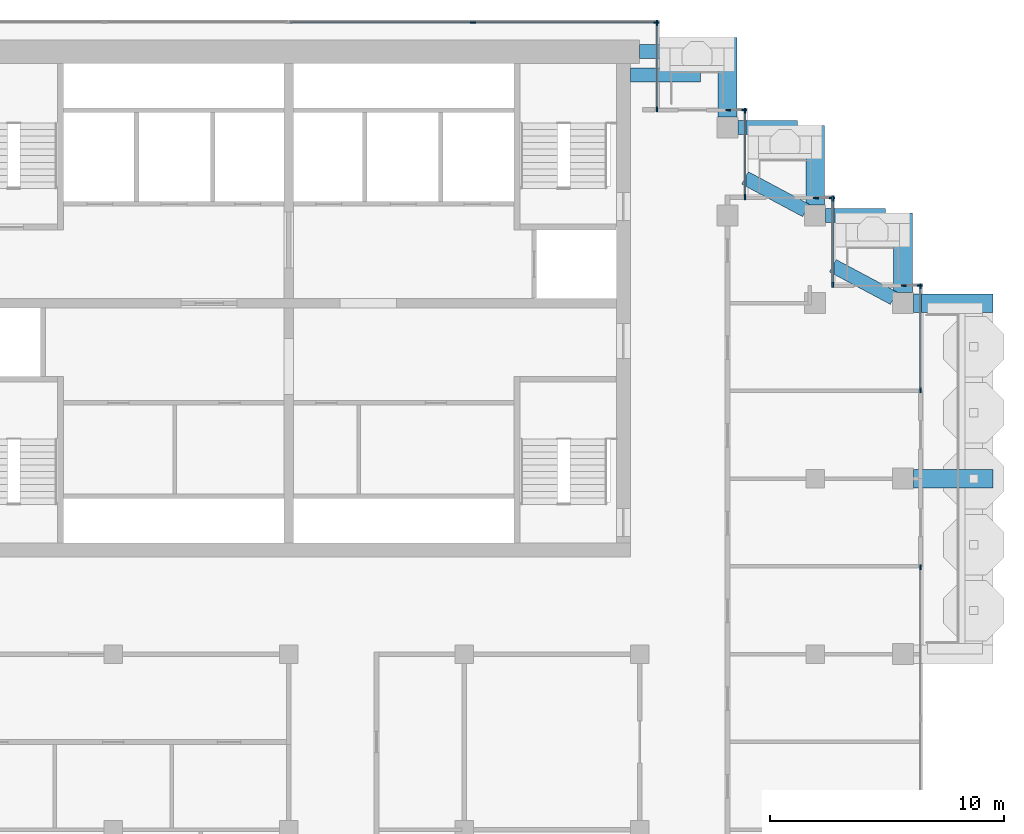
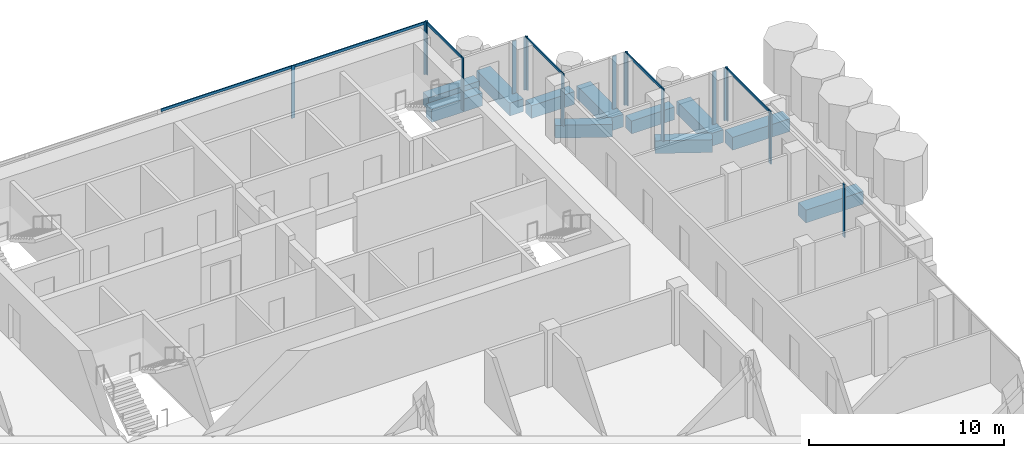
# One storey, part 6 of 19: 23 members, 11 beams, 9 elements without a shape of their own.
"""IFC4 building model written with IfcOpenShell, lengths in metres."""

from ifc_helpers import new_model, si_unit, direction, frame, origin, origin_2d, place, context, subcontext, project, spatial, rectangle, extrude, material, material_profile, profile_set, type_object, element, aggregate, save


model = new_model("IFC4")

# Units and contexts
model_context = context("Model", 3, precision=1e-05, world=origin(), true_north=direction((0.0, 1.0)))
body_context = subcontext(model_context, "Body", "Model", "MODEL_VIEW")
ifc_project = project(units=[si_unit("LENGTHUNIT", "METRE"), si_unit("AREAUNIT", "SQUARE_METRE"), si_unit("VOLUMEUNIT", "CUBIC_METRE"), si_unit("PLANEANGLEUNIT", "RADIAN"), si_unit("MASSUNIT", "GRAM", prefix="KILO")], contexts=[model_context])

# Site, building, storey
site_placement = place(None, origin())
site = spatial("IfcSite", under=ifc_project, at=site_placement, CompositionType="ELEMENT")
building_placement = place(site_placement, origin())
building = spatial("IfcBuilding", under=site, at=building_placement, Name="Pilkhan Gate Tower", CompositionType="ELEMENT")
storey_placement = place(building_placement, frame((0.0, 0.0, 246.300048828125)))
storey = spatial("IfcBuildingStorey", under=building, at=storey_placement, Name="L64", CompositionType="ELEMENT", Elevation=246.300048828125)

# Beams
ifc_material_1 = material(Name="Concrete C50/60", Category="concrete")
ifc_material_profile_1 = material_profile(ifc_material_1, rectangle(XDim=0.60009765625, YDim=0.800048828125, at=origin_2d()), Name="RC 600x800")
ifc_profile_set_1 = profile_set([ifc_material_profile_1], Name="Concrete C50/60")
beam_type_1 = type_object("IfcBeamType", Name="Cantilever beam CB1 RC 600x800 C50/60", PredefinedType="BEAM", material=ifc_profile_set_1)
for number, where, z_axis, x_axis, name in (
    (1, (90.0, 93.25, -0.699951171875), (1.0, 0.0, 0.0), (0.0, 1.0, 0.0), "Balcony beam NE.2 L64"),
    (2, (89.60009765625, 92.25, -0.699951171875), (1.0, 0.0, 0.0), (0.0, 1.0, 0.0), "Balcony beam NE.3 L64"),
):
    element("IfcBeam", number, at=place(storey_placement, frame(where, z_axis=z_axis, x_axis=x_axis)), inside=storey, type_object=beam_type_1, Name=name, PredefinedType="BEAM", context=body_context, shape_type="SweptSolid", body=[
        extrude(rectangle(XDim=0.60009765625, YDim=0.800048828125, at=origin_2d()), origin(), (0.0, 0.0, 1.0), 3.0),
    ])
beam_1_placement = place(storey_placement, frame((94.199951171875, 90.0, -0.699951171875), z_axis=(1.0, 0.0, 0.0), x_axis=(0.0, 1.0, 0.0)))
element("IfcBeam", 3, at=beam_1_placement, inside=storey, type_object=beam_type_1, Name="Balcony beam NE1.2 L64", PredefinedType="BEAM", context=body_context, shape_type="SweptSolid", body=[
    extrude(rectangle(XDim=0.60009765625, YDim=0.800048828125, at=origin_2d()), origin(), (0.0, 0.0, 1.0), 2.550048828125),
])
beam_2_placement = place(storey_placement, frame((97.10302734375, 86.461669921875, -0.699951171875), z_axis=(-0.882332323202, 0.470626891957, 0.0), x_axis=(-0.470626891957, -0.882332323202, 0.0)))
element("IfcBeam", 4, at=beam_2_placement, inside=storey, type_object=beam_type_1, Name="Balcony beam NE1.3 L64", PredefinedType="BEAM", context=body_context, shape_type="SweptSolid", body=[
    extrude(rectangle(XDim=0.60009765625, YDim=0.800048828125, at=origin_2d()), origin(), (0.0, 0.0, 1.0), 2.9501953125),
])
beam_3_placement = place(storey_placement, frame((97.949951171875, 86.25, -0.699951171875), z_axis=(1.0, 0.0, 0.0), x_axis=(0.0, 1.0, 0.0)))
element("IfcBeam", 5, at=beam_3_placement, inside=storey, type_object=beam_type_1, Name="Balcony beam NE2.2 L64", PredefinedType="BEAM", context=body_context, shape_type="SweptSolid", body=[
    extrude(rectangle(XDim=0.60009765625, YDim=0.800048828125, at=origin_2d()), origin(), (0.0, 0.0, 1.0), 2.550048828125),
])
beam_4_placement = place(storey_placement, frame((100.85302734375, 82.711669921875, -0.699951171875), z_axis=(-0.882332323202, 0.470626891957, 0.0), x_axis=(-0.470626891957, -0.882332323202, 0.0)))
element("IfcBeam", 6, at=beam_4_placement, inside=storey, type_object=beam_type_1, Name="Balcony beam NE2.3 L64", PredefinedType="BEAM", context=body_context, shape_type="SweptSolid", body=[
    extrude(rectangle(XDim=0.60009765625, YDim=0.800048828125, at=origin_2d()), origin(), (0.0, 0.0, 1.0), 2.9501953125),
])
ifc_material_profile_2 = material_profile(ifc_material_1, rectangle(XDim=0.800048828125, YDim=0.800048828125, at=origin_2d()), Name="RC 800x800")
ifc_profile_set_2 = profile_set([ifc_material_profile_2], Name="Concrete C50/60")
beam_type_2 = type_object("IfcBeamType", Name="Cantilever beam CB2 RC 800x800 C50/60", PredefinedType="BEAM", material=ifc_profile_set_2)
for number, where, z_axis, x_axis, name in (
    (7, (101.699951171875, 75.0, -0.699951171875), (1.0, 0.0, 0.0), (0.0, 1.0, 0.0), "Balcony beam E.2 L64"),
    (8, (101.699951171875, 82.5, -0.699951171875), (1.0, 0.0, 0.0), (0.0, 1.0, 0.0), "Balcony beam E.3 L64"),
    (9, (93.75, 90.449951171875, -0.699951171875), (0.0, 1.0, 0.0), (-1.0, 0.0, 0.0), "Balcony beam NE.1 L64"),
    (10, (97.5, 86.699951171875, -0.699951171875), (0.0, 1.0, 0.0), (-1.0, 0.0, 0.0), "Balcony beam NE1.1 L64"),
    (11, (101.25, 82.949951171875, -0.699951171875), (0.0, 1.0, 0.0), (-1.0, 0.0, 0.0), "Balcony beam NE2.1 L64"),
):
    element("IfcBeam", number, at=place(storey_placement, frame(where, z_axis=z_axis, x_axis=x_axis)), inside=storey, type_object=beam_type_2, Name=name, PredefinedType="BEAM", context=body_context, shape_type="SweptSolid", body=[
        extrude(rectangle(XDim=0.800048828125, YDim=0.800048828125, at=origin_2d()), origin(), (0.0, 0.0, 1.0), 3.400146484375),
    ])

# Curtain wall, member
ifc_material_2 = material(Name="Pale anodised aluminium, clear low-iron double glazing", Category="aluminium")
curtain_wall_type = type_object("IfcCurtainWallType", Name="Office unitised curtain wall CW-O2", PredefinedType="USERDEFINED", material=ifc_material_2)
curtain_wall_1_placement = place(storey_placement, origin())
curtain_wall_1 = element("IfcCurtainWall", 12, at=curtain_wall_1_placement, inside=storey, type_object=curtain_wall_type, Name="Office unitised curtain wall CW-O2 L64 E", ObjectType="UNITISED CURTAIN WALL", PredefinedType="USERDEFINED")
ifc_material_3 = material(Name="Pale anodised aluminium", Category="aluminium")
ifc_material_profile_3 = material_profile(ifc_material_3, rectangle(XDim=0.06494140625, YDim=0.22509765625, at=origin_2d()), Name="Mullion 225x65")
ifc_profile_set_3 = profile_set([ifc_material_profile_3], Name="Pale anodised aluminium")
member_type_1 = type_object("IfcMemberType", Name="Mullion CW-O2 225x65", PredefinedType="MULLION", material=ifc_profile_set_3)
member_1_placement = place(storey_placement, frame((102.0, 71.217529296875, 0.0), z_axis=(0.0, 0.0, 1.0), x_axis=(-1.0, 0.0, 0.0)))
member_1 = element("IfcMember", 13, at=member_1_placement, type_object=member_type_1, Name="CW-O2 mullion 2", PredefinedType="MULLION", context=body_context, shape_type="SweptSolid", body=[
    extrude(rectangle(XDim=0.06494140625, YDim=0.22509765625, at=origin_2d()), origin(), (0.0, 0.0, 1.0), 3.300048828125),
])
aggregate(curtain_wall_1, [member_1])

# Curtain wall, members
curtain_wall_2_placement = place(storey_placement, origin())
curtain_wall_2 = element("IfcCurtainWall", 14, at=curtain_wall_2_placement, inside=storey, type_object=curtain_wall_type, Name="Office unitised curtain wall CW-O2 L64 E", ObjectType="UNITISED CURTAIN WALL", PredefinedType="USERDEFINED")
member_2_placement = place(storey_placement, frame((102.0, 78.782470703125, 0.0), z_axis=(0.0, 0.0, 1.0), x_axis=(-1.0, 0.0, 0.0)))
member_2 = element("IfcMember", 15, at=member_2_placement, type_object=member_type_1, Name="CW-O2 mullion 1", PredefinedType="MULLION", context=body_context, shape_type="SweptSolid", body=[
    extrude(rectangle(XDim=0.06494140625, YDim=0.22509765625, at=origin_2d()), origin(), (0.0, 0.0, 1.0), 3.300048828125),
])
member_3_placement = place(storey_placement, frame((102.0, 83.217529296875, 0.0), z_axis=(0.0, 0.0, 1.0), x_axis=(-1.0, 0.0, 0.0)))
member_3 = element("IfcMember", 16, at=member_3_placement, type_object=member_type_1, Name="CW-O2 mullion 2", PredefinedType="MULLION", context=body_context, shape_type="SweptSolid", body=[
    extrude(rectangle(XDim=0.06494140625, YDim=0.22509765625, at=origin_2d()), origin(), (0.0, 0.0, 1.0), 3.300048828125),
])

curtain_wall_3_placement = place(storey_placement, origin())
curtain_wall_3 = element("IfcCurtainWall", 17, at=curtain_wall_3_placement, inside=storey, type_object=curtain_wall_type, Name="Office unitised curtain wall CW-O2 L64 N", ObjectType="UNITISED CURTAIN WALL", PredefinedType="USERDEFINED")
member_4_placement = place(storey_placement, frame((101.282470703125, 83.25, 0.0), z_axis=(0.0, 0.0, 1.0), x_axis=(0.0, 1.0, 0.0)))
member_4 = element("IfcMember", 18, at=member_4_placement, type_object=member_type_1, Name="CW-O2 mullion 1", PredefinedType="MULLION", context=body_context, shape_type="SweptSolid", body=[
    extrude(rectangle(XDim=0.06494140625, YDim=0.22509765625, at=origin_2d()), origin(), (0.0, 0.0, 1.0), 3.300048828125),
])
member_5_placement = place(storey_placement, frame((101.967529296875, 83.25, 0.0), z_axis=(0.0, 0.0, 1.0), x_axis=(0.0, 1.0, 0.0)))
member_5 = element("IfcMember", 19, at=member_5_placement, type_object=member_type_1, Name="CW-O2 mullion 2", PredefinedType="MULLION", context=body_context, shape_type="SweptSolid", body=[
    extrude(rectangle(XDim=0.06494140625, YDim=0.22509765625, at=origin_2d()), origin(), (0.0, 0.0, 1.0), 3.300048828125),
])
aggregate(curtain_wall_3, [member_4, member_5])

curtain_wall_4_placement = place(storey_placement, origin())
curtain_wall_4 = element("IfcCurtainWall", 20, at=curtain_wall_4_placement, inside=storey, type_object=curtain_wall_type, Name="Office unitised curtain wall CW-O2 L64 E", ObjectType="UNITISED CURTAIN WALL", PredefinedType="USERDEFINED")
member_6_placement = place(storey_placement, frame((98.25, 83.282470703125, 0.0), z_axis=(0.0, 0.0, 1.0), x_axis=(-1.0, 0.0, 0.0)))
member_6 = element("IfcMember", 21, at=member_6_placement, type_object=member_type_1, Name="CW-O2 mullion 1", PredefinedType="MULLION", context=body_context, shape_type="SweptSolid", body=[
    extrude(rectangle(XDim=0.06494140625, YDim=0.22509765625, at=origin_2d()), origin(), (0.0, 0.0, 1.0), 3.300048828125),
])
member_7_placement = place(storey_placement, frame((98.25, 86.967529296875, 0.0), z_axis=(0.0, 0.0, 1.0), x_axis=(-1.0, 0.0, 0.0)))
member_7 = element("IfcMember", 22, at=member_7_placement, type_object=member_type_1, Name="CW-O2 mullion 2", PredefinedType="MULLION", context=body_context, shape_type="SweptSolid", body=[
    extrude(rectangle(XDim=0.06494140625, YDim=0.22509765625, at=origin_2d()), origin(), (0.0, 0.0, 1.0), 3.300048828125),
])

curtain_wall_5_placement = place(storey_placement, origin())
curtain_wall_5 = element("IfcCurtainWall", 23, at=curtain_wall_5_placement, inside=storey, type_object=curtain_wall_type, Name="Office unitised curtain wall CW-O2 L64 N", ObjectType="UNITISED CURTAIN WALL", PredefinedType="USERDEFINED")
member_8_placement = place(storey_placement, frame((97.532470703125, 87.0, 0.0), z_axis=(0.0, 0.0, 1.0), x_axis=(0.0, 1.0, 0.0)))
member_8 = element("IfcMember", 24, at=member_8_placement, type_object=member_type_1, Name="CW-O2 mullion 1", PredefinedType="MULLION", context=body_context, shape_type="SweptSolid", body=[
    extrude(rectangle(XDim=0.06494140625, YDim=0.22509765625, at=origin_2d()), origin(), (0.0, 0.0, 1.0), 3.300048828125),
])
member_9_placement = place(storey_placement, frame((98.217529296875, 87.0, 0.0), z_axis=(0.0, 0.0, 1.0), x_axis=(0.0, 1.0, 0.0)))
member_9 = element("IfcMember", 25, at=member_9_placement, type_object=member_type_1, Name="CW-O2 mullion 2", PredefinedType="MULLION", context=body_context, shape_type="SweptSolid", body=[
    extrude(rectangle(XDim=0.06494140625, YDim=0.22509765625, at=origin_2d()), origin(), (0.0, 0.0, 1.0), 3.300048828125),
])
aggregate(curtain_wall_5, [member_8, member_9])

curtain_wall_6_placement = place(storey_placement, origin())
curtain_wall_6 = element("IfcCurtainWall", 26, at=curtain_wall_6_placement, inside=storey, type_object=curtain_wall_type, Name="Office unitised curtain wall CW-O2 L64 E", ObjectType="UNITISED CURTAIN WALL", PredefinedType="USERDEFINED")
member_10_placement = place(storey_placement, frame((94.5, 87.032470703125, 0.0), z_axis=(0.0, 0.0, 1.0), x_axis=(-1.0, 0.0, 0.0)))
member_10 = element("IfcMember", 27, at=member_10_placement, type_object=member_type_1, Name="CW-O2 mullion 1", PredefinedType="MULLION", context=body_context, shape_type="SweptSolid", body=[
    extrude(rectangle(XDim=0.06494140625, YDim=0.22509765625, at=origin_2d()), origin(), (0.0, 0.0, 1.0), 3.300048828125),
])
member_11_placement = place(storey_placement, frame((94.5, 90.717529296875, 0.0), z_axis=(0.0, 0.0, 1.0), x_axis=(-1.0, 0.0, 0.0)))
member_11 = element("IfcMember", 28, at=member_11_placement, type_object=member_type_1, Name="CW-O2 mullion 2", PredefinedType="MULLION", context=body_context, shape_type="SweptSolid", body=[
    extrude(rectangle(XDim=0.06494140625, YDim=0.22509765625, at=origin_2d()), origin(), (0.0, 0.0, 1.0), 3.300048828125),
])

curtain_wall_7_placement = place(storey_placement, origin())
curtain_wall_7 = element("IfcCurtainWall", 29, at=curtain_wall_7_placement, inside=storey, type_object=curtain_wall_type, Name="Office unitised curtain wall CW-O2 L64 N", ObjectType="UNITISED CURTAIN WALL", PredefinedType="USERDEFINED")
member_12_placement = place(storey_placement, frame((93.782470703125, 90.75, 0.0), z_axis=(0.0, 0.0, 1.0), x_axis=(0.0, 1.0, 0.0)))
member_12 = element("IfcMember", 30, at=member_12_placement, type_object=member_type_1, Name="CW-O2 mullion 1", PredefinedType="MULLION", context=body_context, shape_type="SweptSolid", body=[
    extrude(rectangle(XDim=0.06494140625, YDim=0.22509765625, at=origin_2d()), origin(), (0.0, 0.0, 1.0), 3.300048828125),
])
member_13_placement = place(storey_placement, frame((94.467529296875, 90.75, 0.0), z_axis=(0.0, 0.0, 1.0), x_axis=(0.0, 1.0, 0.0)))
member_13 = element("IfcMember", 31, at=member_13_placement, type_object=member_type_1, Name="CW-O2 mullion 2", PredefinedType="MULLION", context=body_context, shape_type="SweptSolid", body=[
    extrude(rectangle(XDim=0.06494140625, YDim=0.22509765625, at=origin_2d()), origin(), (0.0, 0.0, 1.0), 3.300048828125),
])
aggregate(curtain_wall_7, [member_12, member_13])

curtain_wall_8_placement = place(storey_placement, origin())
curtain_wall_8 = element("IfcCurtainWall", 32, at=curtain_wall_8_placement, inside=storey, type_object=curtain_wall_type, Name="Office unitised curtain wall CW-O2 L64 E", ObjectType="UNITISED CURTAIN WALL", PredefinedType="USERDEFINED")
member_14_placement = place(storey_placement, frame((90.75, 90.782470703125, 0.0), z_axis=(0.0, 0.0, 1.0), x_axis=(-1.0, 0.0, 0.0)))
member_14 = element("IfcMember", 33, at=member_14_placement, type_object=member_type_1, Name="CW-O2 mullion 1", PredefinedType="MULLION", context=body_context, shape_type="SweptSolid", body=[
    extrude(rectangle(XDim=0.06494140625, YDim=0.22509765625, at=origin_2d()), origin(), (0.0, 0.0, 1.0), 3.300048828125),
])
member_15_placement = place(storey_placement, frame((90.75, 94.467529296875, 0.0), z_axis=(0.0, 0.0, 1.0), x_axis=(-1.0, 0.0, 0.0)))
member_15 = element("IfcMember", 34, at=member_15_placement, type_object=member_type_1, Name="CW-O2 mullion 2", PredefinedType="MULLION", context=body_context, shape_type="SweptSolid", body=[
    extrude(rectangle(XDim=0.06494140625, YDim=0.22509765625, at=origin_2d()), origin(), (0.0, 0.0, 1.0), 3.300048828125),
])

curtain_wall_9_placement = place(storey_placement, origin())
curtain_wall_9 = element("IfcCurtainWall", 35, at=curtain_wall_9_placement, inside=storey, type_object=curtain_wall_type, Name="Office unitised curtain wall CW-O2 L64 N", ObjectType="UNITISED CURTAIN WALL", PredefinedType="USERDEFINED")
member_16_placement = place(storey_placement, frame((82.875, 94.5, 0.0), z_axis=(0.0, 0.0, 1.0), x_axis=(0.0, 1.0, 0.0)))
member_16 = element("IfcMember", 36, at=member_16_placement, type_object=member_type_1, Name="CW-O2 mullion 2", PredefinedType="MULLION", context=body_context, shape_type="SweptSolid", body=[
    extrude(rectangle(XDim=0.06494140625, YDim=0.22509765625, at=origin_2d()), origin(), (0.0, 0.0, 1.0), 3.300048828125),
])
member_17_placement = place(storey_placement, frame((90.717529296875, 94.5, 0.0), z_axis=(0.0, 0.0, 1.0), x_axis=(0.0, 1.0, 0.0)))
member_17 = element("IfcMember", 37, at=member_17_placement, type_object=member_type_1, Name="CW-O2 mullion 3", PredefinedType="MULLION", context=body_context, shape_type="SweptSolid", body=[
    extrude(rectangle(XDim=0.06494140625, YDim=0.22509765625, at=origin_2d()), origin(), (0.0, 0.0, 1.0), 3.300048828125),
])

# Member
ifc_material_profile_4 = material_profile(ifc_material_3, rectangle(XDim=0.06494140625, YDim=0.1650390625, at=origin_2d()), Name="Transom 165x65")
ifc_profile_set_4 = profile_set([ifc_material_profile_4], Name="Pale anodised aluminium")
member_type_2 = type_object("IfcMemberType", Name="Transom CW-O2 165x65", PredefinedType="USERDEFINED", material=ifc_profile_set_4)
member_18_placement = place(storey_placement, frame((102.0, 78.81494140625, 3.217529296875), z_axis=(0.0, 1.0, 0.0), x_axis=(-1.0, 0.0, 0.0)))
member_18 = element("IfcMember", 38, at=member_18_placement, type_object=member_type_2, Name="CW-O2 transom 1", ObjectType="TRANSOM", PredefinedType="USERDEFINED", context=body_context, shape_type="SweptSolid", body=[
    extrude(rectangle(XDim=0.06494140625, YDim=0.1650390625, at=origin_2d()), origin(), (0.0, 0.0, 1.0), 4.3701171875),
])

aggregate(curtain_wall_2, [member_2, member_3, member_18])

member_19_placement = place(storey_placement, frame((98.25, 83.31494140625, 3.217529296875), z_axis=(0.0, 1.0, 0.0), x_axis=(-1.0, 0.0, 0.0)))
member_19 = element("IfcMember", 39, at=member_19_placement, type_object=member_type_2, Name="CW-O2 transom 1", ObjectType="TRANSOM", PredefinedType="USERDEFINED", context=body_context, shape_type="SweptSolid", body=[
    extrude(rectangle(XDim=0.06494140625, YDim=0.1650390625, at=origin_2d()), origin(), (0.0, 0.0, 1.0), 3.6201171875),
])

aggregate(curtain_wall_4, [member_6, member_7, member_19])

member_20_placement = place(storey_placement, frame((94.5, 87.06494140625, 3.217529296875), z_axis=(0.0, 1.0, 0.0), x_axis=(-1.0, 0.0, 0.0)))
member_20 = element("IfcMember", 40, at=member_20_placement, type_object=member_type_2, Name="CW-O2 transom 1", ObjectType="TRANSOM", PredefinedType="USERDEFINED", context=body_context, shape_type="SweptSolid", body=[
    extrude(rectangle(XDim=0.06494140625, YDim=0.1650390625, at=origin_2d()), origin(), (0.0, 0.0, 1.0), 3.6201171875),
])

aggregate(curtain_wall_6, [member_10, member_11, member_20])

member_21_placement = place(storey_placement, frame((90.75, 90.81494140625, 3.217529296875), z_axis=(0.0, 1.0, 0.0), x_axis=(-1.0, 0.0, 0.0)))
member_21 = element("IfcMember", 41, at=member_21_placement, type_object=member_type_2, Name="CW-O2 transom 1", ObjectType="TRANSOM", PredefinedType="USERDEFINED", context=body_context, shape_type="SweptSolid", body=[
    extrude(rectangle(XDim=0.06494140625, YDim=0.1650390625, at=origin_2d()), origin(), (0.0, 0.0, 1.0), 3.6201171875),
])

aggregate(curtain_wall_8, [member_14, member_15, member_21])

member_22_placement = place(storey_placement, frame((75.06494140625, 94.5, 3.217529296875), z_axis=(1.0, 0.0, 0.0), x_axis=(0.0, 1.0, 0.0)))
member_22 = element("IfcMember", 42, at=member_22_placement, type_object=member_type_2, Name="CW-O2 transom 1", ObjectType="TRANSOM", PredefinedType="USERDEFINED", context=body_context, shape_type="SweptSolid", body=[
    extrude(rectangle(XDim=0.06494140625, YDim=0.1650390625, at=origin_2d()), origin(), (0.0, 0.0, 1.0), 7.777587890625),
])

member_23_placement = place(storey_placement, frame((82.907470703125, 94.5, 3.217529296875), z_axis=(1.0, 0.0, 0.0), x_axis=(0.0, 1.0, 0.0)))
member_23 = element("IfcMember", 43, at=member_23_placement, type_object=member_type_2, Name="CW-O2 transom 2", ObjectType="TRANSOM", PredefinedType="USERDEFINED", context=body_context, shape_type="SweptSolid", body=[
    extrude(rectangle(XDim=0.06494140625, YDim=0.1650390625, at=origin_2d()), origin(), (0.0, 0.0, 1.0), 7.777587890625),
])

aggregate(curtain_wall_9, [member_16, member_17, member_22, member_23])

save(model, "model.ifc")
